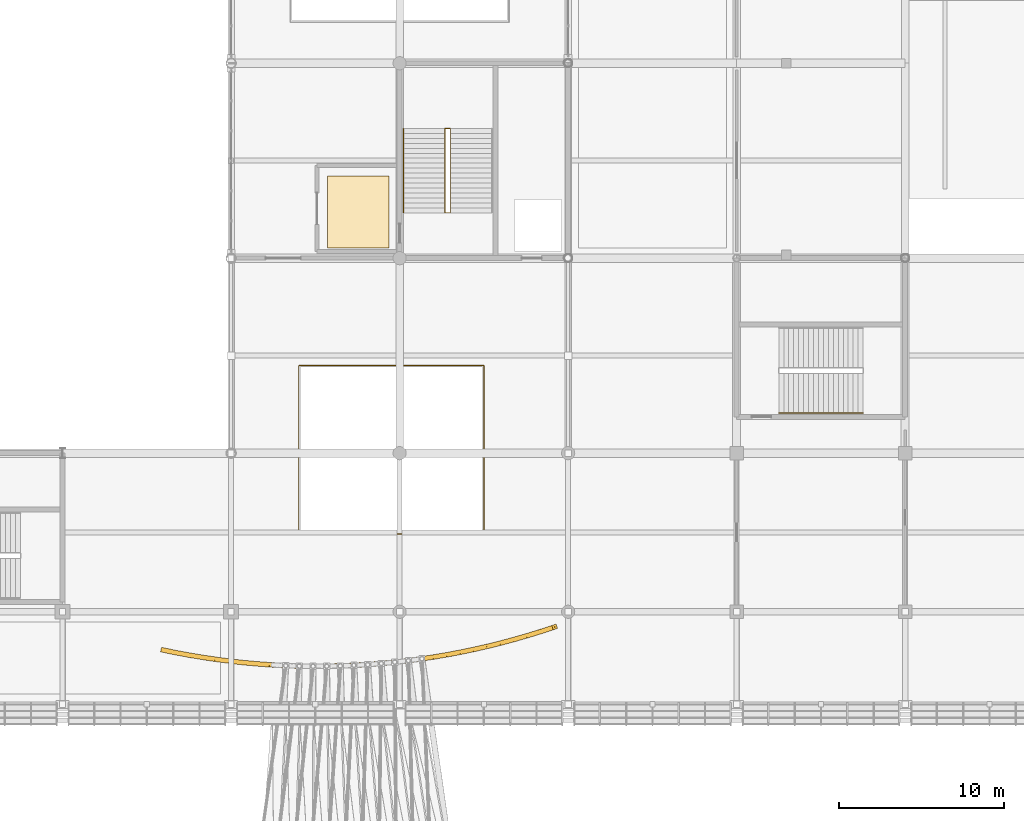
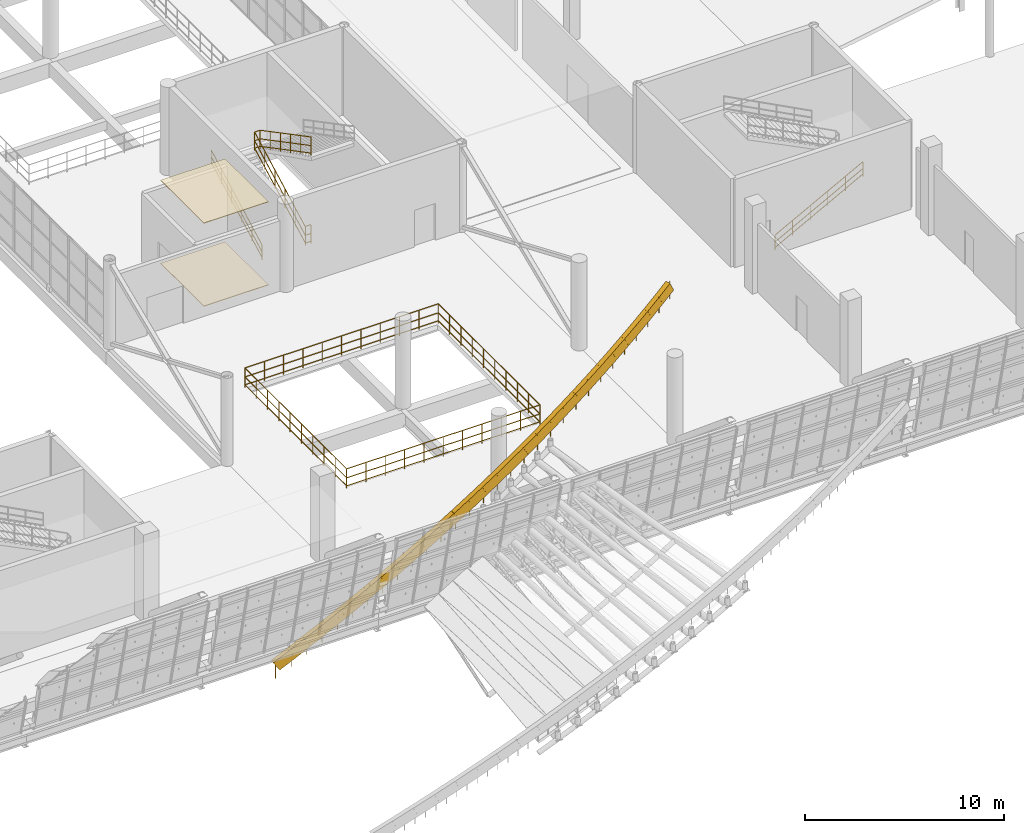
# One storey, part 166 of 175: 6 railings, 2 coverings.
"""IFC4 building model written with IfcOpenShell, lengths in metres."""

from ifc_helpers import new_model, si_unit, direction, frame, origin, origin_2d, place, context, subcontext, project, spatial, polyline, rectangle, circle, outline, extrude, material, layer, layer_set, type_object, element, save


model = new_model("IFC4")

# Units and contexts
model_context = context("Model", 3, precision=1e-05, world=origin(), true_north=direction((0.0, 1.0)))
body_context = subcontext(model_context, "Body", "Model", "MODEL_VIEW")
ifc_project = project(units=[si_unit("LENGTHUNIT", "METRE"), si_unit("AREAUNIT", "SQUARE_METRE"), si_unit("VOLUMEUNIT", "CUBIC_METRE"), si_unit("PLANEANGLEUNIT", "RADIAN"), si_unit("MASSUNIT", "GRAM", prefix="KILO")], contexts=[model_context])

# Site, building, storey
site_placement = place(None, origin())
site = spatial("IfcSite", under=ifc_project, at=site_placement, CompositionType="ELEMENT")
building_placement = place(site_placement, origin())
building = spatial("IfcBuilding", under=site, at=building_placement, Name="Brelvane Convention Centre", CompositionType="ELEMENT")
storey_placement = place(building_placement, frame((0.0, 0.0, 5.39990234375)))
storey = spatial("IfcBuildingStorey", under=building, at=storey_placement, Name="L01", CompositionType="ELEMENT", Elevation=5.39990234375)

# Coverings
ifc_material_1 = material(Name="Moisture-Resistant Acoustic Gypsum Ceiling Tile Grade A")
ifc_layer_1 = layer(ifc_material_1, 0.033935546875)
ifc_layer_set_1 = layer_set([ifc_layer_1], Name="Moisture-Resistant Acoustic Gypsum Ceiling Tile Grade A")
covering_type_1 = type_object("IfcCoveringType", Name="Interior Finish CL-GYP-34", PredefinedType="CEILING", material=ifc_layer_set_1)
covering_1_placement = place(storey_placement, frame((0.0, 0.0, 5.086181640625)))
element("IfcCovering", 1, at=covering_1_placement, inside=storey, type_object=covering_type_1, Name="Firefighting Lift Lobby C3 Acoustic Ceiling (CL-GYP-34)", PredefinedType="CEILING", context=body_context, shape_type="SweptSolid", body=[
    extrude(outline(polyline([(148.6298828125, 41.22998046875), (152.3701171875, 41.22998046875), (152.3701171875, 45.570068359375), (148.6298828125, 45.570068359375), (148.6298828125, 41.22998046875)])), origin(), (0.0, 0.0, 1.0), 0.033935546875),
])
ifc_material_2 = material(Name="Polished Basalt-Aggregate Terrazzo Screed Concrete M30", Category="masonry")
ifc_layer_2 = layer(ifc_material_2, 0.031982421875)
ifc_layer_set_2 = layer_set([ifc_layer_2], Name="Polished Basalt-Aggregate Terrazzo Screed Concrete M30")
covering_type_2 = type_object("IfcCoveringType", Name="Interior Finish FL-STN-32", PredefinedType="FLOORING", material=ifc_layer_set_2)
covering_2_placement = place(storey_placement, origin())
element("IfcCovering", 2, at=covering_2_placement, inside=storey, type_object=covering_type_2, Name="Firefighting Lift Lobby C3 Floor Finish (FL-STN-32)", PredefinedType="FLOORING", context=body_context, shape_type="SweptSolid", body=[
    extrude(outline(polyline([(148.6298828125, 41.22998046875), (152.3701171875, 41.22998046875), (152.3701171875, 45.570068359375), (148.6298828125, 45.570068359375), (148.6298828125, 41.22998046875)])), origin(), (0.0, 0.0, 1.0), 0.031982421875),
])

# Railings
ifc_material_3 = material(Name="Steel E350 (350 MPa)", Category="steel")
railing_type_1 = type_object("IfcRailingType", Name="Railing BL-CU-1", PredefinedType="BALUSTRADE", material=ifc_material_3)
railing_1_placement = place(storey_placement, frame((162.382080078125, 18.282958984375, 9.5771484375)))
element("IfcRailing", 3, at=railing_1_placement, inside=storey, type_object=railing_type_1, Name="Canopy Curved Copper-Bronze Edge Band (IN)", PredefinedType="BALUSTRADE", context=body_context, shape_type="SweptSolid", body=[
    extrude(rectangle(XDim=0.280029296875, YDim=0.6201171875, at=origin_2d()), frame((0.0, 0.0, 0.81005859375), z_axis=(-0.844736310525, -0.279740102832, -0.456252167718), x_axis=(0.314367519614, -0.949301355004, 0.0)), (0.0, 0.0, 1.0), 0.929443359375),
    extrude(rectangle(XDim=0.280029296875, YDim=0.6201171875, at=origin_2d()), frame((-0.78515625, -0.260009765625, 0.385986328125), z_axis=(-0.848332998728, -0.262941284834, -0.459557400114), x_axis=(0.296055684208, -0.95517068205, 0.0)), (0.0, 0.0, 1.0), 0.931396484375),
    extrude(rectangle(XDim=0.280029296875, YDim=0.6201171875, at=origin_2d()), frame((-1.5751953125, -0.5048828125, -0.0419921875), z_axis=(-0.851313888569, -0.246598303515, -0.463091718597), x_axis=(0.278230193073, -0.960514424495, 0.0)), (0.0, 0.0, 1.0), 0.9326171875),
    extrude(rectangle(XDim=0.280029296875, YDim=0.6201171875, at=origin_2d()), frame((-2.369140625, -0.73486328125, -0.473876953125), z_axis=(-0.853803460182, -0.229890234847, -0.467086856273), x_axis=(0.259994640118, -0.965610059553, 0.0)), (0.0, 0.0, 1.0), 0.935546875),
    extrude(rectangle(XDim=0.280029296875, YDim=0.6201171875, at=origin_2d()), frame((-3.16796875, -0.949951171875, -0.910888671875), z_axis=(-0.855391165242, -0.214303479146, -0.471571811341), x_axis=(0.243021951119, -0.970020789094, 0.0)), (0.0, 0.0, 1.0), 0.9375),
    extrude(rectangle(XDim=0.280029296875, YDim=0.6201171875, at=origin_2d()), frame((-3.969970703125, -1.15087890625, -1.35302734375), z_axis=(-0.857859223683, -0.196928313613, -0.474654391783), x_axis=(0.223738377616, -0.97464923864, 0.0)), (0.0, 0.0, 1.0), 0.939697265625),
    extrude(rectangle(XDim=0.280029296875, YDim=0.6201171875, at=origin_2d()), frame((-4.776123046875, -1.3359375, -1.799072265625), z_axis=(-0.859655480989, -0.181621004272, -0.47750001551), x_axis=(0.206708904228, -0.978402488199, 0.0)), (0.0, 0.0, 1.0), 0.9423828125),
    extrude(rectangle(XDim=0.280029296875, YDim=0.6201171875, at=origin_2d()), frame((-5.586181640625, -1.507080078125, -2.2490234375), z_axis=(-0.860382343027, -0.165040269047, -0.482186616778), x_axis=(0.188387396284, -0.982094796301, 0.0)), (0.0, 0.0, 1.0), 0.94384765625),
    extrude(rectangle(XDim=0.280029296875, YDim=0.6201171875, at=origin_2d()), frame((-6.398193359375, -1.662841796875, -2.7041015625), z_axis=(-0.861260173537, -0.14810165956, -0.486103704896), x_axis=(0.169471870647, -0.985535024776, 0.0)), (0.0, 0.0, 1.0), 0.9462890625),
    extrude(rectangle(XDim=0.280029296875, YDim=0.6201171875, at=origin_2d()), frame((-7.213134765625, -1.802978515625, -3.1640625), z_axis=(-0.862420516777, -0.131966319363, -0.488687776393), x_axis=(0.151257948312, -0.988494326272, 0.0)), (0.0, 0.0, 1.0), 0.947265625),
    extrude(rectangle(XDim=0.280029296875, YDim=0.6201171875, at=origin_2d()), frame((-8.030029296875, -1.927978515625, -3.626953125), z_axis=(-0.862128526101, -0.11678132759, -0.493048198464), x_axis=(0.134231102979, -0.990950054742, 0.0)), (0.0, 0.0, 1.0), 0.951171875),
    extrude(rectangle(XDim=0.280029296875, YDim=0.6201171875, at=origin_2d()), frame((-8.85009765625, -2.0390625, -4.095947265625), z_axis=(-0.862374142439, -0.099632771431, -0.496370979521), x_axis=(0.114769687429, -0.993392127434, 0.0)), (0.0, 0.0, 1.0), 0.953125),
    extrude(rectangle(XDim=0.280029296875, YDim=0.6201171875, at=origin_2d()), frame((-9.672119140625, -2.134033203125, -4.569091796875), z_axis=(-0.862315338844, -0.082624697255, -0.499585243774), x_axis=(0.095380423901, -0.995440894647, 0.0)), (0.0, 0.0, 1.0), 0.954345703125),
    extrude(rectangle(XDim=0.280029296875, YDim=0.6201171875, at=origin_2d()), frame((-10.4951171875, -2.212890625, -5.0458984375), z_axis=(-0.861077572801, -0.068120803537, -0.503889838898), x_axis=(0.078864705987, -0.996885328485, 0.0)), (0.0, 0.0, 1.0), 0.95703125),
    extrude(rectangle(XDim=0.280029296875, YDim=0.6201171875, at=origin_2d()), frame((-11.319091796875, -2.278076171875, -5.528076171875), z_axis=(-0.860373588492, -0.050864533757, -0.507119401553), x_axis=(0.059016082297, -0.998257032047, 0.0)), (0.0, 0.0, 1.0), 0.9599609375),
    extrude(rectangle(XDim=0.280029296875, YDim=0.6201171875, at=origin_2d()), frame((-12.14501953125, -2.326904296875, -6.014892578125), z_axis=(-0.859012716877, -0.035284505806, -0.510736875401), x_axis=(0.041041042301, -0.999157461488, 0.0)), (0.0, 0.0, 1.0), 0.961669921875),
    extrude(rectangle(XDim=0.280029296875, YDim=0.6201171875, at=origin_2d()), frame((-12.97119140625, -2.36083984375, -6.506103515625), z_axis=(-0.857922826115, -0.018744106623, -0.513436542231), x_axis=(0.021843030566, -0.999761412546, 0.0)), (0.0, 0.0, 1.0), 0.9638671875),
    extrude(rectangle(XDim=0.280029296875, YDim=0.6201171875, at=origin_2d()), frame((-13.798095703125, -2.37890625, -7.0009765625), z_axis=(-0.855722164841, -0.003284437007, -0.517425153113), x_axis=(0.00383817663, -0.999992634173, 0.0)), (0.0, 0.0, 1.0), 0.96630859375),
    extrude(rectangle(XDim=0.280029296875, YDim=0.6201171875, at=origin_2d()), frame((-14.625, -2.382080078125, -7.5009765625), z_axis=(-0.853935976595, 0.01260236093, -0.520225459177), x_axis=(-0.01475636244, -0.999891118956, 0.0)), (0.0, 0.0, 1.0), 0.96875),
    extrude(rectangle(XDim=0.280029296875, YDim=0.6201171875, at=origin_2d()), frame((-15.4521484375, -2.369873046875, -8.0048828125), z_axis=(-0.851255111736, 0.027646313047, -0.524023297304), x_axis=(-0.032460004096, -0.999473035221, 0.0)), (0.0, 0.0, 1.0), 0.971435546875),
    extrude(rectangle(XDim=0.280029296875, YDim=0.6201171875, at=origin_2d()), frame((-16.279052734375, -2.343017578125, -8.513916015625), z_axis=(-0.848114739695, 0.044123025181, -0.527972108128), x_axis=(-0.051954567869, -0.998649449445, 0.0)), (0.0, 0.0, 1.0), 0.973876953125),
    extrude(rectangle(XDim=0.280029296875, YDim=0.6201171875, at=origin_2d()), frame((-17.10498046875, -2.300048828125, -9.028076171875), z_axis=(-0.845536954346, 0.059537809211, -0.530586946795), x_axis=(-0.070240285216, -0.997530100966, 0.0)), (0.0, 0.0, 1.0), 0.975830078125),
    extrude(rectangle(XDim=0.280029296875, YDim=0.6201171875, at=origin_2d()), frame((-17.93017578125, -2.241943359375, -9.5458984375), z_axis=(-0.842343460453, 0.075623724005, -0.533608983244), x_axis=(-0.089418143664, -0.995994174473, 0.0)), (0.0, 0.0, 1.0), 0.978271484375),
    extrude(rectangle(XDim=0.280029296875, YDim=0.6201171875, at=origin_2d()), frame((-18.754150390625, -2.16796875, -10.06787109375), z_axis=(-0.838414245108, 0.08964334073, -0.537611035102), x_axis=(-0.106314146978, -0.994332591316, 0.0)), (0.0, 0.0, 1.0), 0.98046875),
    extrude(rectangle(XDim=0.280029296875, YDim=0.6201171875, at=origin_2d()), frame((-19.576171875, -2.080078125, -10.594970703125), z_axis=(-0.834604148778, 0.105878906307, -0.540578923047), x_axis=(-0.125852548047, -0.992048958545, 0.0)), (0.0, 0.0, 1.0), 0.982177734375),
    extrude(rectangle(XDim=0.280029296875, YDim=0.6201171875, at=origin_2d()), frame((-20.39599609375, -1.97607421875, -11.1259765625), z_axis=(-0.830473402841, 0.121786263546, -0.543582590951), x_axis=(-0.145094940854, -0.989417736923, 0.0)), (0.0, 0.0, 1.0), 0.986328125),
    extrude(rectangle(XDim=0.280029296875, YDim=0.6201171875, at=origin_2d()), frame((-21.215087890625, -1.85595703125, -11.662109375), z_axis=(-0.825837704974, 0.135662746867, -0.547346055212), x_axis=(-0.162100265257, -0.98677429233, 0.0)), (0.0, 0.0, 1.0), 0.988037109375),
    extrude(rectangle(XDim=0.280029296875, YDim=0.6201171875, at=origin_2d()), frame((-22.031005859375, -1.721923828125, -12.202880859375), z_axis=(-0.821101927666, 0.150412064828, -0.550606788132), x_axis=(-0.180184977034, -0.983632743483, 0.0)), (0.0, 0.0, 1.0), 0.990234375),
    extrude(rectangle(XDim=0.280029296875, YDim=0.6201171875, at=origin_2d()), frame((-22.843994140625, -1.572998046875, -12.748046875), z_axis=(-0.816678205483, 0.166187377154, -0.552646780832), x_axis=(-0.199405171138, -0.979917127988, 0.0)), (0.0, 0.0, 1.0), 0.9931640625),
    extrude(circle(Radius=0.02099609375, at=origin_2d()), origin(), (0.0, 0.0, 1.0), 1.072021484375),
    extrude(circle(Radius=0.02099609375, at=origin_2d()), frame((-0.78515625, -0.260009765625, -0.424072265625)), (0.0, 0.0, 1.0), 1.072021484375),
    extrude(circle(Radius=0.02099609375, at=origin_2d()), frame((-1.5751953125, -0.5048828125, -0.85205078125)), (0.0, 0.0, 1.0), 1.072021484375),
    extrude(circle(Radius=0.02099609375, at=origin_2d()), frame((-2.369140625, -0.73486328125, -1.283935546875)), (0.0, 0.0, 1.0), 1.072021484375),
    extrude(circle(Radius=0.02099609375, at=origin_2d()), frame((-3.16796875, -0.949951171875, -1.720947265625)), (0.0, 0.0, 1.0), 1.072021484375),
    extrude(circle(Radius=0.02099609375, at=origin_2d()), frame((-3.969970703125, -1.15087890625, -2.1630859375)), (0.0, 0.0, 1.0), 1.072021484375),
    extrude(circle(Radius=0.02099609375, at=origin_2d()), frame((-4.776123046875, -1.3359375, -2.609130859375)), (0.0, 0.0, 1.0), 1.072021484375),
    extrude(circle(Radius=0.02099609375, at=origin_2d()), frame((-5.586181640625, -1.507080078125, -3.05908203125)), (0.0, 0.0, 1.0), 1.072021484375),
    extrude(circle(Radius=0.02099609375, at=origin_2d()), frame((-6.398193359375, -1.662841796875, -3.51416015625)), (0.0, 0.0, 1.0), 1.072021484375),
    extrude(circle(Radius=0.02099609375, at=origin_2d()), frame((-7.213134765625, -1.802978515625, -3.97412109375)), (0.0, 0.0, 1.0), 1.072021484375),
    extrude(circle(Radius=0.02099609375, at=origin_2d()), frame((-8.030029296875, -1.927978515625, -4.43701171875)), (0.0, 0.0, 1.0), 1.072021484375),
    extrude(circle(Radius=0.02099609375, at=origin_2d()), frame((-8.85009765625, -2.0390625, -4.906005859375)), (0.0, 0.0, 1.0), 1.072021484375),
    extrude(circle(Radius=0.02099609375, at=origin_2d()), frame((-9.672119140625, -2.134033203125, -5.379150390625)), (0.0, 0.0, 1.0), 1.072021484375),
    extrude(circle(Radius=0.02099609375, at=origin_2d()), frame((-10.4951171875, -2.212890625, -5.85595703125)), (0.0, 0.0, 1.0), 1.072021484375),
    extrude(circle(Radius=0.02099609375, at=origin_2d()), frame((-11.319091796875, -2.278076171875, -6.338134765625)), (0.0, 0.0, 1.0), 1.072021484375),
    extrude(circle(Radius=0.02099609375, at=origin_2d()), frame((-12.14501953125, -2.326904296875, -6.824951171875)), (0.0, 0.0, 1.0), 1.072021484375),
    extrude(circle(Radius=0.02099609375, at=origin_2d()), frame((-12.97119140625, -2.36083984375, -7.316162109375)), (0.0, 0.0, 1.0), 1.072021484375),
    extrude(circle(Radius=0.02099609375, at=origin_2d()), frame((-13.798095703125, -2.37890625, -7.81103515625)), (0.0, 0.0, 1.0), 1.072021484375),
    extrude(circle(Radius=0.02099609375, at=origin_2d()), frame((-14.625, -2.382080078125, -8.31103515625)), (0.0, 0.0, 1.0), 1.072021484375),
    extrude(circle(Radius=0.02099609375, at=origin_2d()), frame((-15.4521484375, -2.369873046875, -8.81494140625)), (0.0, 0.0, 1.0), 1.072021484375),
    extrude(circle(Radius=0.02099609375, at=origin_2d()), frame((-16.279052734375, -2.343017578125, -9.323974609375)), (0.0, 0.0, 1.0), 1.072021484375),
    extrude(circle(Radius=0.02099609375, at=origin_2d()), frame((-17.10498046875, -2.300048828125, -9.838134765625)), (0.0, 0.0, 1.0), 1.072021484375),
    extrude(circle(Radius=0.02099609375, at=origin_2d()), frame((-17.93017578125, -2.241943359375, -10.35595703125)), (0.0, 0.0, 1.0), 1.072021484375),
    extrude(circle(Radius=0.02099609375, at=origin_2d()), frame((-18.754150390625, -2.16796875, -10.8779296875)), (0.0, 0.0, 1.0), 1.072021484375),
    extrude(circle(Radius=0.02099609375, at=origin_2d()), frame((-19.576171875, -2.080078125, -11.405029296875)), (0.0, 0.0, 1.0), 1.072021484375),
    extrude(circle(Radius=0.02099609375, at=origin_2d()), frame((-20.39599609375, -1.97607421875, -11.93603515625)), (0.0, 0.0, 1.0), 1.072021484375),
    extrude(circle(Radius=0.02099609375, at=origin_2d()), frame((-21.215087890625, -1.85595703125, -12.47216796875)), (0.0, 0.0, 1.0), 1.072021484375),
    extrude(circle(Radius=0.02099609375, at=origin_2d()), frame((-22.031005859375, -1.721923828125, -13.012939453125)), (0.0, 0.0, 1.0), 1.072021484375),
    extrude(circle(Radius=0.02099609375, at=origin_2d()), frame((-22.843994140625, -1.572998046875, -13.55810546875)), (0.0, 0.0, 1.0), 1.072021484375),
    extrude(circle(Radius=0.02099609375, at=origin_2d()), frame((-23.655029296875, -1.407958984375, -14.10693359375)), (0.0, 0.0, 1.0), 1.072021484375),
])
ifc_material_4 = material(Name="Steel E350 (350 MPa)", Category="steel")
railing_type_2 = type_object("IfcRailingType", Name="Railing GR-EXT-2", PredefinedType="GUARDRAIL", material=ifc_material_4)
railing_2_placement = place(storey_placement, frame((146.89990234375, 23.89990234375, 0.0)))
element("IfcRailing", 4, at=railing_2_placement, inside=storey, type_object=railing_type_2, Name="Railing GR-EXT-2 L01-pubdeck_well", PredefinedType="GUARDRAIL", context=body_context, shape_type="SweptSolid", body=[
    extrude(circle(Radius=0.02392578125, at=origin_2d()), frame((0.0, 0.0, 1.17578125), z_axis=(1.0, 0.0, 0.0), x_axis=(0.0, 1.0, 0.0)), (0.0, 0.0, 1.0), 11.2001953125),
    extrude(circle(Radius=0.02392578125, at=origin_2d()), frame((0.0, 0.0, 0.6240234375), z_axis=(1.0, 0.0, 0.0), x_axis=(0.0, 1.0, 0.0)), (0.0, 0.0, 1.0), 11.2001953125),
    extrude(circle(Radius=0.02392578125, at=origin_2d()), frame((0.0, 0.0, 0.139892578125), z_axis=(1.0, 0.0, 0.0), x_axis=(0.0, 1.0, 0.0)), (0.0, 0.0, 1.0), 11.2001953125),
    extrude(circle(Radius=0.02392578125, at=origin_2d()), frame((11.2001953125, 0.0, 1.17578125), z_axis=(0.0, 1.0, 0.0), x_axis=(-1.0, 0.0, 0.0)), (0.0, 0.0, 1.0), 10.2001953125),
    extrude(circle(Radius=0.02392578125, at=origin_2d()), frame((11.2001953125, 0.0, 0.6240234375), z_axis=(0.0, 1.0, 0.0), x_axis=(-1.0, 0.0, 0.0)), (0.0, 0.0, 1.0), 10.2001953125),
    extrude(circle(Radius=0.02392578125, at=origin_2d()), frame((11.2001953125, 0.0, 0.139892578125), z_axis=(0.0, 1.0, 0.0), x_axis=(-1.0, 0.0, 0.0)), (0.0, 0.0, 1.0), 10.2001953125),
    extrude(circle(Radius=0.02392578125, at=origin_2d()), frame((11.2001953125, 10.2001953125, 1.17578125), z_axis=(-1.0, 0.0, 0.0), x_axis=(0.0, -1.0, 0.0)), (0.0, 0.0, 1.0), 11.2001953125),
    extrude(circle(Radius=0.02392578125, at=origin_2d()), frame((11.2001953125, 10.2001953125, 0.6240234375), z_axis=(-1.0, 0.0, 0.0), x_axis=(0.0, -1.0, 0.0)), (0.0, 0.0, 1.0), 11.2001953125),
    extrude(circle(Radius=0.02392578125, at=origin_2d()), frame((11.2001953125, 10.2001953125, 0.139892578125), z_axis=(-1.0, 0.0, 0.0), x_axis=(0.0, -1.0, 0.0)), (0.0, 0.0, 1.0), 11.2001953125),
    extrude(circle(Radius=0.02392578125, at=origin_2d()), frame((0.0, 10.2001953125, 1.17578125), z_axis=(0.0, -1.0, 0.0), x_axis=(1.0, 0.0, 0.0)), (0.0, 0.0, 1.0), 10.195068359375),
    extrude(circle(Radius=0.02392578125, at=origin_2d()), frame((0.0, 10.2001953125, 0.6240234375), z_axis=(0.0, -1.0, 0.0), x_axis=(1.0, 0.0, 0.0)), (0.0, 0.0, 1.0), 10.195068359375),
    extrude(circle(Radius=0.02392578125, at=origin_2d()), frame((0.0, 10.2001953125, 0.139892578125), z_axis=(0.0, -1.0, 0.0), x_axis=(1.0, 0.0, 0.0)), (0.0, 0.0, 1.0), 10.195068359375),
    extrude(circle(Radius=0.02099609375, at=origin_2d()), origin(), (0.0, 0.0, 1.0), 1.15185546875),
    extrude(circle(Radius=0.02099609375, at=origin_2d()), frame((1.1201171875, 0.0, 0.0)), (0.0, 0.0, 1.0), 1.15185546875),
    extrude(circle(Radius=0.02099609375, at=origin_2d()), frame((2.239990234375, 0.0, 0.0)), (0.0, 0.0, 1.0), 1.15185546875),
    extrude(circle(Radius=0.02099609375, at=origin_2d()), frame((3.360107421875, 0.0, 0.0)), (0.0, 0.0, 1.0), 1.15185546875),
    extrude(circle(Radius=0.02099609375, at=origin_2d()), frame((4.47998046875, 0.0, 0.0)), (0.0, 0.0, 1.0), 1.15185546875),
    extrude(circle(Radius=0.02099609375, at=origin_2d()), frame((5.60009765625, 0.0, 0.0)), (0.0, 0.0, 1.0), 1.15185546875),
    extrude(circle(Radius=0.02099609375, at=origin_2d()), frame((6.72021484375, 0.0, 0.0)), (0.0, 0.0, 1.0), 1.15185546875),
    extrude(circle(Radius=0.02099609375, at=origin_2d()), frame((7.840087890625, 0.0, 0.0)), (0.0, 0.0, 1.0), 1.15185546875),
    extrude(circle(Radius=0.02099609375, at=origin_2d()), frame((8.960205078125, 0.0, 0.0)), (0.0, 0.0, 1.0), 1.15185546875),
    extrude(circle(Radius=0.02099609375, at=origin_2d()), frame((10.080078125, 0.0, 0.0)), (0.0, 0.0, 1.0), 1.15185546875),
    extrude(circle(Radius=0.02099609375, at=origin_2d()), frame((11.2001953125, 0.0, 0.0)), (0.0, 0.0, 1.0), 1.15185546875),
    extrude(circle(Radius=0.02099609375, at=origin_2d()), frame((11.2001953125, 1.13330078125, 0.0)), (0.0, 0.0, 1.0), 1.15185546875),
    extrude(circle(Radius=0.02099609375, at=origin_2d()), frame((11.2001953125, 2.2666015625, 0.0)), (0.0, 0.0, 1.0), 1.15185546875),
    extrude(circle(Radius=0.02099609375, at=origin_2d()), frame((11.2001953125, 3.400146484375, 0.0)), (0.0, 0.0, 1.0), 1.15185546875),
    extrude(circle(Radius=0.02099609375, at=origin_2d()), frame((11.2001953125, 4.533447265625, 0.0)), (0.0, 0.0, 1.0), 1.15185546875),
    extrude(circle(Radius=0.02099609375, at=origin_2d()), frame((11.2001953125, 5.666748046875, 0.0)), (0.0, 0.0, 1.0), 1.15185546875),
    extrude(circle(Radius=0.02099609375, at=origin_2d()), frame((11.2001953125, 6.800048828125, 0.0)), (0.0, 0.0, 1.0), 1.15185546875),
    extrude(circle(Radius=0.02099609375, at=origin_2d()), frame((11.2001953125, 7.93359375, 0.0)), (0.0, 0.0, 1.0), 1.15185546875),
    extrude(circle(Radius=0.02099609375, at=origin_2d()), frame((11.2001953125, 9.06689453125, 0.0)), (0.0, 0.0, 1.0), 1.15185546875),
    extrude(circle(Radius=0.02099609375, at=origin_2d()), frame((11.2001953125, 10.2001953125, 0.0)), (0.0, 0.0, 1.0), 1.15185546875),
    extrude(circle(Radius=0.02099609375, at=origin_2d()), frame((10.080078125, 10.2001953125, 0.0)), (0.0, 0.0, 1.0), 1.15185546875),
    extrude(circle(Radius=0.02099609375, at=origin_2d()), frame((8.960205078125, 10.2001953125, 0.0)), (0.0, 0.0, 1.0), 1.15185546875),
    extrude(circle(Radius=0.02099609375, at=origin_2d()), frame((7.840087890625, 10.2001953125, 0.0)), (0.0, 0.0, 1.0), 1.15185546875),
    extrude(circle(Radius=0.02099609375, at=origin_2d()), frame((6.72021484375, 10.2001953125, 0.0)), (0.0, 0.0, 1.0), 1.15185546875),
    extrude(circle(Radius=0.02099609375, at=origin_2d()), frame((5.60009765625, 10.2001953125, 0.0)), (0.0, 0.0, 1.0), 1.15185546875),
    extrude(circle(Radius=0.02099609375, at=origin_2d()), frame((4.47998046875, 10.2001953125, 0.0)), (0.0, 0.0, 1.0), 1.15185546875),
    extrude(circle(Radius=0.02099609375, at=origin_2d()), frame((3.360107421875, 10.2001953125, 0.0)), (0.0, 0.0, 1.0), 1.15185546875),
    extrude(circle(Radius=0.02099609375, at=origin_2d()), frame((2.239990234375, 10.2001953125, 0.0)), (0.0, 0.0, 1.0), 1.15185546875),
    extrude(circle(Radius=0.02099609375, at=origin_2d()), frame((1.1201171875, 10.2001953125, 0.0)), (0.0, 0.0, 1.0), 1.15185546875),
    extrude(circle(Radius=0.02099609375, at=origin_2d()), frame((0.0, 10.2001953125, 0.0)), (0.0, 0.0, 1.0), 1.15185546875),
    extrude(circle(Radius=0.02099609375, at=origin_2d()), frame((0.0, 9.0673828125, 0.0)), (0.0, 0.0, 1.0), 1.15185546875),
    extrude(circle(Radius=0.02099609375, at=origin_2d()), frame((0.0, 7.9345703125, 0.0)), (0.0, 0.0, 1.0), 1.15185546875),
    extrude(circle(Radius=0.02099609375, at=origin_2d()), frame((0.0, 6.8017578125, 0.0)), (0.0, 0.0, 1.0), 1.15185546875),
    extrude(circle(Radius=0.02099609375, at=origin_2d()), frame((0.0, 5.6689453125, 0.0)), (0.0, 0.0, 1.0), 1.15185546875),
    extrude(circle(Radius=0.02099609375, at=origin_2d()), frame((0.0, 4.536376953125, 0.0)), (0.0, 0.0, 1.0), 1.15185546875),
    extrude(circle(Radius=0.02099609375, at=origin_2d()), frame((0.0, 3.403564453125, 0.0)), (0.0, 0.0, 1.0), 1.15185546875),
    extrude(circle(Radius=0.02099609375, at=origin_2d()), frame((0.0, 2.270751953125, 0.0)), (0.0, 0.0, 1.0), 1.15185546875),
    extrude(circle(Radius=0.02099609375, at=origin_2d()), frame((0.0, 1.137939453125, 0.0)), (0.0, 0.0, 1.0), 1.15185546875),
    extrude(circle(Radius=0.02099609375, at=origin_2d()), frame((0.0, 0.005126953125, 0.0)), (0.0, 0.0, 1.0), 1.15185546875),
])
ifc_material_5 = material(Name="Steel E350 (350 MPa)", Category="steel")
railing_type_3 = type_object("IfcRailingType", Name="Stair Railing GR-ST-1", PredefinedType="GUARDRAIL", material=ifc_material_5)
railing_3_placement = place(storey_placement, frame((155.739990234375, 43.35009765625, -0.02001953125)))
element("IfcRailing", 5, at=railing_3_placement, inside=storey, type_object=railing_type_3, Name="Stair ST-03 L01 Inner Well Guard", PredefinedType="GUARDRAIL", context=body_context, shape_type="SweptSolid", body=[
    extrude(circle(Radius=0.02392578125, at=origin_2d()), frame((0.0, 0.0, 1.1259765625), z_axis=(0.0, 0.882331893838, 0.470627696929), x_axis=(-1.0, 0.0, 0.0)), (0.0, 0.0, 1.0), 5.780029296875),
    extrude(circle(Radius=0.02392578125, at=origin_2d()), frame((0.0, 0.0, 0.597900390625), z_axis=(0.0, 0.882331893838, 0.470627696929), x_axis=(-1.0, 0.0, 0.0)), (0.0, 0.0, 1.0), 5.780029296875),
    extrude(circle(Radius=0.02392578125, at=origin_2d()), frame((0.0, 0.0, 0.139892578125), z_axis=(0.0, 0.882331893838, 0.470627696929), x_axis=(-1.0, 0.0, 0.0)), (0.0, 0.0, 1.0), 5.780029296875),
    extrude(circle(Radius=0.02392578125, at=origin_2d()), frame((0.0, 5.099853515625, 3.84619140625), z_axis=(1.0, 0.0, 0.0), x_axis=(0.0, 1.0, 0.0)), (0.0, 0.0, 1.0), 0.320068359375),
    extrude(circle(Radius=0.02392578125, at=origin_2d()), frame((0.0, 5.099853515625, 3.318115234375), z_axis=(1.0, 0.0, 0.0), x_axis=(0.0, 1.0, 0.0)), (0.0, 0.0, 1.0), 0.320068359375),
    extrude(circle(Radius=0.02392578125, at=origin_2d()), frame((0.0, 5.099853515625, 2.860107421875), z_axis=(1.0, 0.0, 0.0), x_axis=(0.0, 1.0, 0.0)), (0.0, 0.0, 1.0), 0.320068359375),
    extrude(circle(Radius=0.02392578125, at=origin_2d()), frame((0.320068359375, 5.099853515625, 3.84619140625), z_axis=(0.0, -0.885218631674, 0.465175207999), x_axis=(1.0, 0.0, 0.0)), (0.0, 0.0, 1.0), 5.76123046875),
    extrude(circle(Radius=0.02392578125, at=origin_2d()), frame((0.320068359375, 5.099853515625, 3.318115234375), z_axis=(0.0, -0.885218631674, 0.465175207999), x_axis=(1.0, 0.0, 0.0)), (0.0, 0.0, 1.0), 5.76123046875),
    extrude(circle(Radius=0.02392578125, at=origin_2d()), frame((0.320068359375, 5.099853515625, 2.860107421875), z_axis=(0.0, -0.885218631674, 0.465175207999), x_axis=(1.0, 0.0, 0.0)), (0.0, 0.0, 1.0), 5.76123046875),
    extrude(circle(Radius=0.02099609375, at=origin_2d()), origin(), (0.0, 0.0, 1.0), 1.101806640625),
    extrude(circle(Radius=0.02099609375, at=origin_2d()), frame((0.0, 1.02001953125, 0.5439453125)), (0.0, 0.0, 1.0), 1.101806640625),
    extrude(circle(Radius=0.02099609375, at=origin_2d()), frame((0.0, 2.0400390625, 1.088134765625)), (0.0, 0.0, 1.0), 1.101806640625),
    extrude(circle(Radius=0.02099609375, at=origin_2d()), frame((0.0, 3.059814453125, 1.632080078125)), (0.0, 0.0, 1.0), 1.101806640625),
    extrude(circle(Radius=0.02099609375, at=origin_2d()), frame((0.0, 4.079833984375, 2.17626953125)), (0.0, 0.0, 1.0), 1.101806640625),
    extrude(circle(Radius=0.02099609375, at=origin_2d()), frame((0.0, 5.099853515625, 2.72021484375)), (0.0, 0.0, 1.0), 1.101806640625),
    extrude(circle(Radius=0.02099609375, at=origin_2d()), frame((0.320068359375, 5.099853515625, 2.72021484375)), (0.0, 0.0, 1.0), 1.101806640625),
    extrude(circle(Radius=0.02099609375, at=origin_2d()), frame((0.320068359375, 4.079833984375, 3.256103515625)), (0.0, 0.0, 1.0), 1.101806640625),
    extrude(circle(Radius=0.02099609375, at=origin_2d()), frame((0.320068359375, 3.059814453125, 3.792236328125)), (0.0, 0.0, 1.0), 1.101806640625),
    extrude(circle(Radius=0.02099609375, at=origin_2d()), frame((0.320068359375, 2.0400390625, 4.328125)), (0.0, 0.0, 1.0), 1.101806640625),
    extrude(circle(Radius=0.02099609375, at=origin_2d()), frame((0.320068359375, 1.02001953125, 4.8642578125)), (0.0, 0.0, 1.0), 1.101806640625),
    extrude(circle(Radius=0.02099609375, at=origin_2d()), frame((0.320068359375, 0.0, 5.400146484375)), (0.0, 0.0, 1.0), 1.101806640625),
])
ifc_material_6 = material(Name="Steel E350 (350 MPa)", Category="steel")
railing_type_4 = type_object("IfcRailingType", Name="Stair Railing GR-ST-2", PredefinedType="GUARDRAIL", material=ifc_material_6)
railing_4_placement = place(storey_placement, frame((155.739990234375, 43.35009765625, -0.02001953125)))
element("IfcRailing", 6, at=railing_4_placement, inside=storey, type_object=railing_type_4, Name="Stair ST-03 L01 Landing Well Guard", PredefinedType="GUARDRAIL", context=body_context, shape_type="SweptSolid", body=[
    extrude(circle(Radius=0.02392578125, at=origin_2d()), frame((0.0, 0.0, 1.15576171875), z_axis=(1.0, 0.0, 0.0), x_axis=(0.0, 1.0, 0.0)), (0.0, 0.0, 1.0), 0.320068359375),
    extrude(circle(Radius=0.02392578125, at=origin_2d()), frame((0.0, 0.0, 0.613525390625), z_axis=(1.0, 0.0, 0.0), x_axis=(0.0, 1.0, 0.0)), (0.0, 0.0, 1.0), 0.320068359375),
    extrude(circle(Radius=0.02392578125, at=origin_2d()), frame((0.0, 0.0, 0.139892578125), z_axis=(1.0, 0.0, 0.0), x_axis=(0.0, 1.0, 0.0)), (0.0, 0.0, 1.0), 0.320068359375),
    extrude(circle(Radius=0.02099609375, at=origin_2d()), origin(), (0.0, 0.0, 1.0), 1.1318359375),
    extrude(circle(Radius=0.02099609375, at=origin_2d()), frame((0.320068359375, 0.0, 0.0)), (0.0, 0.0, 1.0), 1.1318359375),
])
ifc_material_7 = material(Name="Steel E350 (350 MPa)", Category="steel")
railing_type_5 = type_object("IfcRailingType", Name="Stair Railing HR-ST-1", PredefinedType="HANDRAIL", material=ifc_material_7)
railing_5_placement = place(storey_placement, frame((153.22998046875, 43.35009765625, -0.02001953125)))
element("IfcRailing", 7, at=railing_5_placement, inside=storey, type_object=railing_type_5, Name="Stair ST-03 L01 Outer Handrail F1", PredefinedType="HANDRAIL", context=body_context, shape_type="SweptSolid", body=[
    extrude(circle(Radius=0.02392578125, at=origin_2d()), frame((0.0, 0.0, 0.89599609375), z_axis=(0.0, 0.882331893838, 0.470627696929), x_axis=(-1.0, 0.0, 0.0)), (0.0, 0.0, 1.0), 5.780029296875),
    extrude(circle(Radius=0.02392578125, at=origin_2d()), frame((0.0, 0.0, 0.478271484375), z_axis=(0.0, 0.882331893838, 0.470627696929), x_axis=(-1.0, 0.0, 0.0)), (0.0, 0.0, 1.0), 5.780029296875),
    extrude(circle(Radius=0.02392578125, at=origin_2d()), frame((0.0, 0.0, 0.139892578125), z_axis=(0.0, 0.882331893838, 0.470627696929), x_axis=(-1.0, 0.0, 0.0)), (0.0, 0.0, 1.0), 5.780029296875),
    extrude(circle(Radius=0.02099609375, at=origin_2d()), origin(), (0.0, 0.0, 1.0), 0.871826171875),
    extrude(circle(Radius=0.02099609375, at=origin_2d()), frame((0.0, 1.02001953125, 0.5439453125)), (0.0, 0.0, 1.0), 0.871826171875),
    extrude(circle(Radius=0.02099609375, at=origin_2d()), frame((0.0, 2.0400390625, 1.088134765625)), (0.0, 0.0, 1.0), 0.871826171875),
    extrude(circle(Radius=0.02099609375, at=origin_2d()), frame((0.0, 3.059814453125, 1.632080078125)), (0.0, 0.0, 1.0), 0.871826171875),
    extrude(circle(Radius=0.02099609375, at=origin_2d()), frame((0.0, 4.079833984375, 2.17626953125)), (0.0, 0.0, 1.0), 0.871826171875),
    extrude(circle(Radius=0.02099609375, at=origin_2d()), frame((0.0, 5.099853515625, 2.72021484375)), (0.0, 0.0, 1.0), 0.871826171875),
])
railing_6_placement = place(storey_placement, frame((175.949951171875, 31.22998046875, -0.02001953125)))
element("IfcRailing", 8, at=railing_6_placement, inside=storey, type_object=railing_type_5, Name="Stair ST-18 L01 Outer Handrail F1", PredefinedType="HANDRAIL", context=body_context, shape_type="SweptSolid", body=[
    extrude(circle(Radius=0.02392578125, at=origin_2d()), frame((0.0, 0.0, 0.89599609375), z_axis=(0.882341248864, 0.0, 0.470610157724), x_axis=(0.0, 1.0, 0.0)), (0.0, 0.0, 1.0), 5.7802734375),
    extrude(circle(Radius=0.02392578125, at=origin_2d()), frame((0.0, 0.0, 0.478271484375), z_axis=(0.882341248864, 0.0, 0.470610157724), x_axis=(0.0, 1.0, 0.0)), (0.0, 0.0, 1.0), 5.7802734375),
    extrude(circle(Radius=0.02392578125, at=origin_2d()), frame((0.0, 0.0, 0.139892578125), z_axis=(0.882341248864, 0.0, 0.470610157724), x_axis=(0.0, 1.0, 0.0)), (0.0, 0.0, 1.0), 5.7802734375),
    extrude(circle(Radius=0.02099609375, at=origin_2d()), origin(), (0.0, 0.0, 1.0), 0.871826171875),
    extrude(circle(Radius=0.02099609375, at=origin_2d()), frame((1.02001953125, 0.0, 0.5439453125)), (0.0, 0.0, 1.0), 0.871826171875),
    extrude(circle(Radius=0.02099609375, at=origin_2d()), frame((2.0400390625, 0.0, 1.088134765625)), (0.0, 0.0, 1.0), 0.871826171875),
    extrude(circle(Radius=0.02099609375, at=origin_2d()), frame((3.06005859375, 0.0, 1.632080078125)), (0.0, 0.0, 1.0), 0.871826171875),
    extrude(circle(Radius=0.02099609375, at=origin_2d()), frame((4.080078125, 0.0, 2.17626953125)), (0.0, 0.0, 1.0), 0.871826171875),
    extrude(circle(Radius=0.02099609375, at=origin_2d()), frame((5.10009765625, 0.0, 2.72021484375)), (0.0, 0.0, 1.0), 0.871826171875),
])

save(model, "model.ifc")
